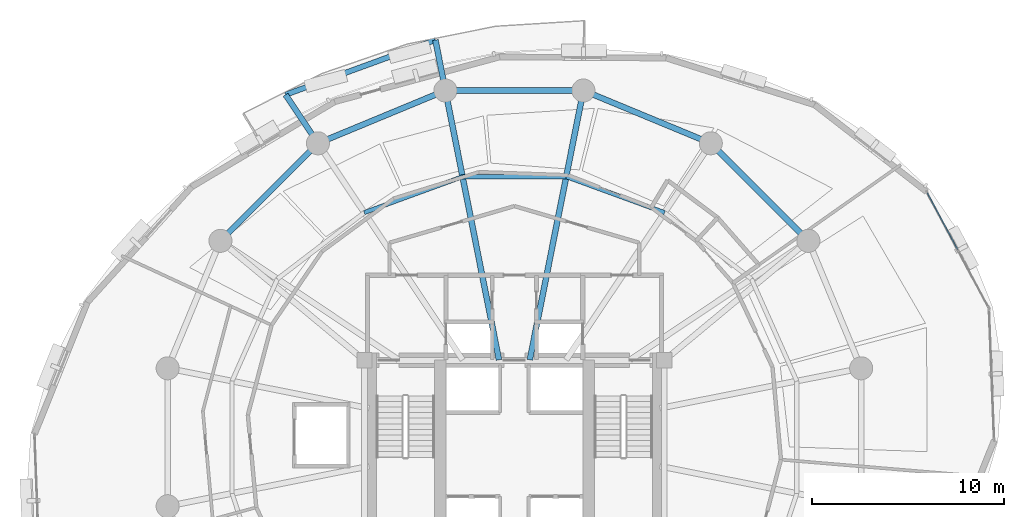
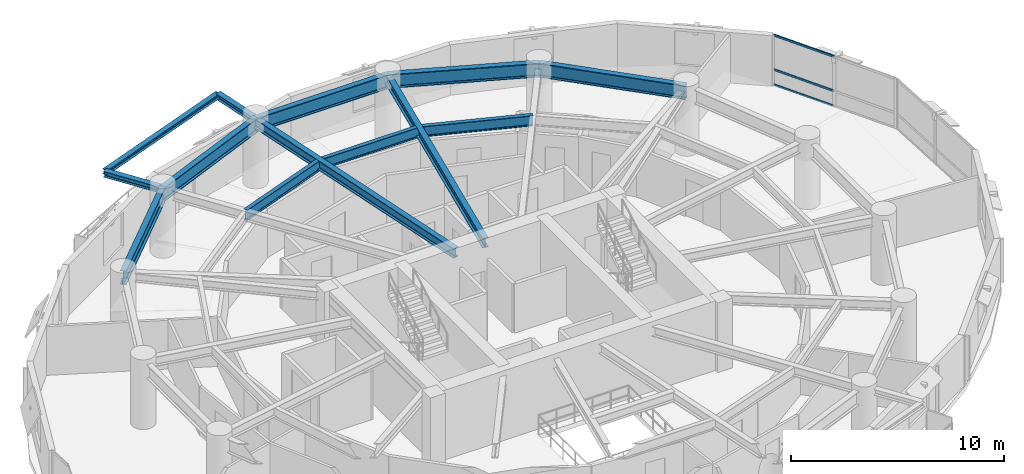
# One storey, part 7 of 15: 13 beams, 3 members, 1 element without a shape of its own.
"""IFC4 building model written with IfcOpenShell, lengths in metres."""

from ifc_helpers import new_model, si_unit, direction, frame, origin, origin_2d, place, context, subcontext, project, spatial, hollow_rectangle, i_section, extrude, material, layer, layer_set, material_profile, profile_set, type_object, element, aggregate, save


model = new_model("IFC4")

# Units and contexts
model_context = context("Model", 3, precision=1e-05, world=origin(), true_north=direction((0.0, 1.0)))
body_context = subcontext(model_context, "Body", "Model", "MODEL_VIEW")
ifc_project = project(units=[si_unit("LENGTHUNIT", "METRE"), si_unit("AREAUNIT", "SQUARE_METRE"), si_unit("VOLUMEUNIT", "CUBIC_METRE"), si_unit("PLANEANGLEUNIT", "RADIAN"), si_unit("MASSUNIT", "GRAM", prefix="KILO"), si_unit("THERMODYNAMICTEMPERATUREUNIT", "KELVIN"), si_unit("POWERUNIT", "WATT")], contexts=[model_context])

# Site, building, storey
site_placement = place(None, origin())
site = spatial("IfcSite", under=ifc_project, at=site_placement, CompositionType="ELEMENT")
building_placement = place(site_placement, origin())
building = spatial("IfcBuilding", under=site, at=building_placement, Name="Ocrelia Relay Tower", CompositionType="ELEMENT")
storey_placement = place(building_placement, frame((0.0, 0.0, 97.800048828125)))
storey = spatial("IfcBuildingStorey", under=building, at=storey_placement, Name="L22", CompositionType="ELEMENT", Elevation=97.800048828125)

# Beams
ifc_material_1 = material(Name="Steel S355", Category="steel")
ifc_material_profile_1 = material_profile(ifc_material_1, i_section(OverallWidth=0.280029296875, OverallDepth=0.27001953125, WebThickness=0.008056640625, FlangeThickness=0.012939453125, FilletRadius=0.02392578125, at=origin_2d()), Name="HEA 280")
ifc_profile_set_1 = profile_set([ifc_material_profile_1], Name="Steel S355")
beam_type_1 = type_object("IfcBeamType", Name="BM-HEA280", PredefinedType="BEAM", material=ifc_profile_set_1)
beam_1_placement = place(storey_placement, frame((29.8876953125, 46.674072265625, 3.5849609375), z_axis=(-0.939316865284, -0.343050763873, 0.0), x_axis=(0.343050763873, -0.939316865284, 0.0)))
element("IfcBeam", 1, at=beam_1_placement, inside=storey, type_object=beam_type_1, Name="L23 Balcony Edge Trimmer Beam B1", PredefinedType="BEAM", context=body_context, shape_type="SweptSolid", body=[
    extrude(i_section(OverallWidth=0.280029296875, OverallDepth=0.27001953125, WebThickness=0.008056640625, FlangeThickness=0.012939453125, FilletRadius=0.02392578125, at=origin_2d()), origin(), (0.0, 0.0, 1.0), 8.302490234375),
])
ifc_material_profile_2 = material_profile(ifc_material_1, i_section(OverallWidth=0.300048828125, OverallDepth=0.330078125, WebThickness=0.009521484375, FlangeThickness=0.0166015625, FilletRadius=0.027099609375, at=origin_2d()), Name="HEA 340")
ifc_profile_set_2 = profile_set([ifc_material_profile_2], Name="Steel S355")
beam_type_2 = type_object("IfcBeamType", Name="BM-HEA340", PredefinedType="BEAM", material=ifc_profile_set_2)
beam_2_placement = place(storey_placement, frame((30.410400390625, 44.04638671875, 3.554931640625), z_axis=(-0.195099630317, 0.980783428821, 0.0), x_axis=(-0.980783428821, -0.195099630317, 0.0)))
element("IfcBeam", 2, at=beam_2_placement, inside=storey, type_object=beam_type_2, Name="L23 Balcony Cantilever Beam B1-1", PredefinedType="BEAM", context=body_context, shape_type="SweptSolid", body=[
    extrude(i_section(OverallWidth=0.300048828125, OverallDepth=0.330078125, WebThickness=0.009521484375, FlangeThickness=0.0166015625, FilletRadius=0.027099609375, at=origin_2d()), origin(), (0.0, 0.0, 1.0), 2.67919921875),
])
beam_3_placement = place(storey_placement, frame((23.777587890625, 41.299072265625, 3.554931640625), z_axis=(-0.5555897322, 0.831456583036, 0.0), x_axis=(-0.831456583036, -0.5555897322, 0.0)))
element("IfcBeam", 3, at=beam_3_placement, inside=storey, type_object=beam_type_2, Name="L23 Balcony Cantilever Beam B1-2", PredefinedType="BEAM", context=body_context, shape_type="SweptSolid", body=[
    extrude(i_section(OverallWidth=0.300048828125, OverallDepth=0.330078125, WebThickness=0.009521484375, FlangeThickness=0.0166015625, FilletRadius=0.027099609375, at=origin_2d()), origin(), (0.0, 0.0, 1.0), 3.0390625),
])
ifc_material_profile_3 = material_profile(ifc_material_1, i_section(OverallWidth=0.300048828125, OverallDepth=0.550048828125, WebThickness=0.014892578125, FlangeThickness=0.029052734375, FilletRadius=0.027099609375, at=origin_2d()), Name="HEB 550")
ifc_profile_set_3 = profile_set([ifc_material_profile_3], Name="Steel S355")
beam_type_3 = type_object("IfcBeamType", Name="BM-HEB550", PredefinedType="BEAM", material=ifc_profile_set_3)
for number, where, z_axis, x_axis, name in (
    (4, (37.589599609375, 44.04638671875, 3.445068359375), (-0.195094300142, -0.980784489096, 0.0), (0.980784489096, -0.195094300142, 0.0), "L22 Radial Floor Girder R04"),
    (5, (30.410400390625, 44.04638671875, 3.445068359375), (0.195094300142, -0.980784489096, 0.0), (0.980784489096, 0.195094300142, 0.0), "L22 Radial Floor Girder R05"),
):
    element("IfcBeam", number, at=place(storey_placement, frame(where, z_axis=z_axis, x_axis=x_axis)), inside=storey, type_object=beam_type_3, Name=name, PredefinedType="BEAM", context=body_context, shape_type="SweptSolid", body=[
        extrude(i_section(OverallWidth=0.300048828125, OverallDepth=0.550048828125, WebThickness=0.014892578125, FlangeThickness=0.029052734375, FilletRadius=0.027099609375, at=origin_2d()), origin(), (0.0, 0.0, 1.0), 14.291015625),
    ])
ifc_material_profile_4 = material_profile(ifc_material_1, i_section(OverallWidth=0.300048828125, OverallDepth=0.800048828125, WebThickness=0.017578125, FlangeThickness=0.032958984375, FilletRadius=0.030029296875, at=origin_2d()), Name="HEB 800")
ifc_profile_set_4 = profile_set([ifc_material_profile_4], Name="Steel S355")
beam_type_4 = type_object("IfcBeamType", Name="BM-HEB800", PredefinedType="BEAM", material=ifc_profile_set_4)
beam_4_placement = place(storey_placement, frame((49.299072265625, 36.222412109375, 3.320068359375), z_axis=(-0.707106781187, 0.707106781187, 0.0), x_axis=(-0.707106781187, -0.707106781187, 0.0)))
element("IfcBeam", 6, at=beam_4_placement, inside=storey, type_object=beam_type_4, Name="L22 Perimeter Spandrel Beam S02", PredefinedType="BEAM", context=body_context, shape_type="SweptSolid", body=[
    extrude(i_section(OverallWidth=0.300048828125, OverallDepth=0.800048828125, WebThickness=0.017578125, FlangeThickness=0.032958984375, FilletRadius=0.030029296875, at=origin_2d()), origin(), (0.0, 0.0, 1.0), 7.179443359375),
])
for number, where, z_axis, x_axis, name in (
    (7, (44.222412109375, 41.299072265625, 3.320068359375), (-0.923883789366, 0.382673155247, 0.0), (-0.382673155247, -0.923883789366, 0.0), "L22 Perimeter Spandrel Beam S03"),
    (8, (37.589599609375, 44.04638671875, 3.320068359375), (-1.0, 0.0, 0.0), (0.0, -1.0, 0.0), "L22 Perimeter Spandrel Beam S04"),
    (9, (30.410400390625, 44.04638671875, 3.320068359375), (-0.923883789366, -0.382673155247, 0.0), (0.382673155247, -0.923883789366, 0.0), "L22 Perimeter Spandrel Beam S05"),
):
    element("IfcBeam", number, at=place(storey_placement, frame(where, z_axis=z_axis, x_axis=x_axis)), inside=storey, type_object=beam_type_4, Name=name, PredefinedType="BEAM", context=body_context, shape_type="SweptSolid", body=[
        extrude(i_section(OverallWidth=0.300048828125, OverallDepth=0.800048828125, WebThickness=0.017578125, FlangeThickness=0.032958984375, FilletRadius=0.030029296875, at=origin_2d()), origin(), (0.0, 0.0, 1.0), 7.17919921875),
    ])
beam_5_placement = place(storey_placement, frame((23.777587890625, 41.299072265625, 3.320068359375), z_axis=(-0.707106781187, -0.707106781187, 0.0), x_axis=(0.707106781187, -0.707106781187, 0.0)))
element("IfcBeam", 10, at=beam_5_placement, inside=storey, type_object=beam_type_4, Name="L22 Perimeter Spandrel Beam S06", PredefinedType="BEAM", context=body_context, shape_type="SweptSolid", body=[
    extrude(i_section(OverallWidth=0.300048828125, OverallDepth=0.800048828125, WebThickness=0.017578125, FlangeThickness=0.032958984375, FilletRadius=0.030029296875, at=origin_2d()), origin(), (0.0, 0.0, 1.0), 7.179443359375),
])
ifc_material_profile_5 = material_profile(ifc_material_1, i_section(OverallWidth=0.219970703125, OverallDepth=0.60009765625, WebThickness=0.011962890625, FlangeThickness=0.01904296875, FilletRadius=0.02392578125, at=origin_2d()), Name="IPE 600")
ifc_profile_set_5 = profile_set([ifc_material_profile_5], Name="Steel S355")
beam_type_5 = type_object("IfcBeamType", Name="BM-IPE600", PredefinedType="JOIST", material=ifc_profile_set_5)
beam_6_placement = place(storey_placement, frame((41.81298828125, 37.69287109375, 3.419921875), z_axis=(-0.93930687927, 0.34307810562, 0.0), x_axis=(-0.34307810562, -0.93930687927, 0.0)))
element("IfcBeam", 11, at=beam_6_placement, inside=storey, type_object=beam_type_5, Name="L22 Secondary Floor Joist J03", PredefinedType="JOIST", context=body_context, shape_type="SweptSolid", body=[
    extrude(i_section(OverallWidth=0.219970703125, OverallDepth=0.60009765625, WebThickness=0.011962890625, FlangeThickness=0.01904296875, FilletRadius=0.02392578125, at=origin_2d()), origin(), (0.0, 0.0, 1.0), 5.446044921875),
])
beam_7_placement = place(storey_placement, frame((36.697509765625, 39.561279296875, 3.419921875), z_axis=(-1.0, 0.0, 0.0), x_axis=(0.0, -1.0, 0.0)))
element("IfcBeam", 12, at=beam_7_placement, inside=storey, type_object=beam_type_5, Name="L22 Secondary Floor Joist J04", PredefinedType="JOIST", context=body_context, shape_type="SweptSolid", body=[
    extrude(i_section(OverallWidth=0.219970703125, OverallDepth=0.60009765625, WebThickness=0.011962890625, FlangeThickness=0.01904296875, FilletRadius=0.02392578125, at=origin_2d()), origin(), (0.0, 0.0, 1.0), 5.39501953125),
])
beam_8_placement = place(storey_placement, frame((31.302490234375, 39.561279296875, 3.419921875), z_axis=(-0.93930687927, -0.34307810562, 0.0), x_axis=(0.34307810562, -0.93930687927, 0.0)))
element("IfcBeam", 13, at=beam_8_placement, inside=storey, type_object=beam_type_5, Name="L22 Secondary Floor Joist J05", PredefinedType="JOIST", context=body_context, shape_type="SweptSolid", body=[
    extrude(i_section(OverallWidth=0.219970703125, OverallDepth=0.60009765625, WebThickness=0.011962890625, FlangeThickness=0.01904296875, FilletRadius=0.02392578125, at=origin_2d()), origin(), (0.0, 0.0, 1.0), 5.446044921875),
])

# Curtain wall, members
ifc_material_2 = material(Name="Aluminium and solar-control low-E glass", Category="aluminium")
ifc_layer = layer(ifc_material_2, 0.179931640625, Name="Aluminium and solar-control low-E glass")
ifc_layer_set = layer_set([ifc_layer], Name="Aluminium and solar-control low-E glass")
curtain_wall_type = type_object("IfcCurtainWallType", Name="CW-SYS-Z2-SWIT", PredefinedType="NOTDEFINED", material=ifc_layer_set)
curtain_wall_placement = place(storey_placement, origin())
curtain_wall = element("IfcCurtainWall", 14, at=curtain_wall_placement, inside=storey, type_object=curtain_wall_type, Name="L22 Elliptical Tower Curtain Wall Bay 01", PredefinedType="NOTDEFINED")
ifc_material_3 = material(Name="Anodised bronze aluminium", Category="aluminium")
ifc_material_profile_6 = material_profile(ifc_material_3, hollow_rectangle(XDim=0.06005859375, YDim=0.1201171875, WallThickness=0.0048828125, at=origin_2d()), Name="CW-TRN-120x60")
ifc_profile_set_6 = profile_set([ifc_material_profile_6], Name="Anodised bronze aluminium")
member_type = type_object("IfcMemberType", Name="CW-SYS-Z2-SWIT-TRN", PredefinedType="USERDEFINED", material=ifc_profile_set_6)
member_1_placement = place(storey_placement, frame((57.064208984375, 35.77490234375, 0.030029296875), z_axis=(-0.472077157073, 0.88155723454, 0.0), x_axis=(-0.88155723454, -0.472077157073, 0.0)))
member_1 = element("IfcMember", 15, at=member_1_placement, type_object=member_type, Name="CW-Z2 transom 2.1", ObjectType="TRANSOM", PredefinedType="USERDEFINED", context=body_context, shape_type="SweptSolid", body=[
    extrude(hollow_rectangle(XDim=0.06005859375, YDim=0.1201171875, WallThickness=0.0048828125, at=origin_2d()), origin(), (0.0, 0.0, 1.0), 3.334716796875),
])
member_2_placement = place(storey_placement, frame((57.064208984375, 35.77490234375, 0.89990234375), z_axis=(-0.472077157073, 0.88155723454, 0.0), x_axis=(-0.88155723454, -0.472077157073, 0.0)))
member_2 = element("IfcMember", 16, at=member_2_placement, type_object=member_type, Name="CW-Z2 transom 2.2", ObjectType="TRANSOM", PredefinedType="USERDEFINED", context=body_context, shape_type="SweptSolid", body=[
    extrude(hollow_rectangle(XDim=0.06005859375, YDim=0.1201171875, WallThickness=0.0048828125, at=origin_2d()), origin(), (0.0, 0.0, 1.0), 3.334716796875),
])
member_3_placement = place(storey_placement, frame((57.064208984375, 35.77490234375, 2.869873046875), z_axis=(-0.472077157073, 0.88155723454, 0.0), x_axis=(-0.88155723454, -0.472077157073, 0.0)))
member_3 = element("IfcMember", 17, at=member_3_placement, type_object=member_type, Name="CW-Z2 transom 2.3", ObjectType="TRANSOM", PredefinedType="USERDEFINED", context=body_context, shape_type="SweptSolid", body=[
    extrude(hollow_rectangle(XDim=0.06005859375, YDim=0.1201171875, WallThickness=0.0048828125, at=origin_2d()), origin(), (0.0, 0.0, 1.0), 3.334716796875),
])
aggregate(curtain_wall, [member_1, member_2, member_3])

save(model, "model.ifc")
